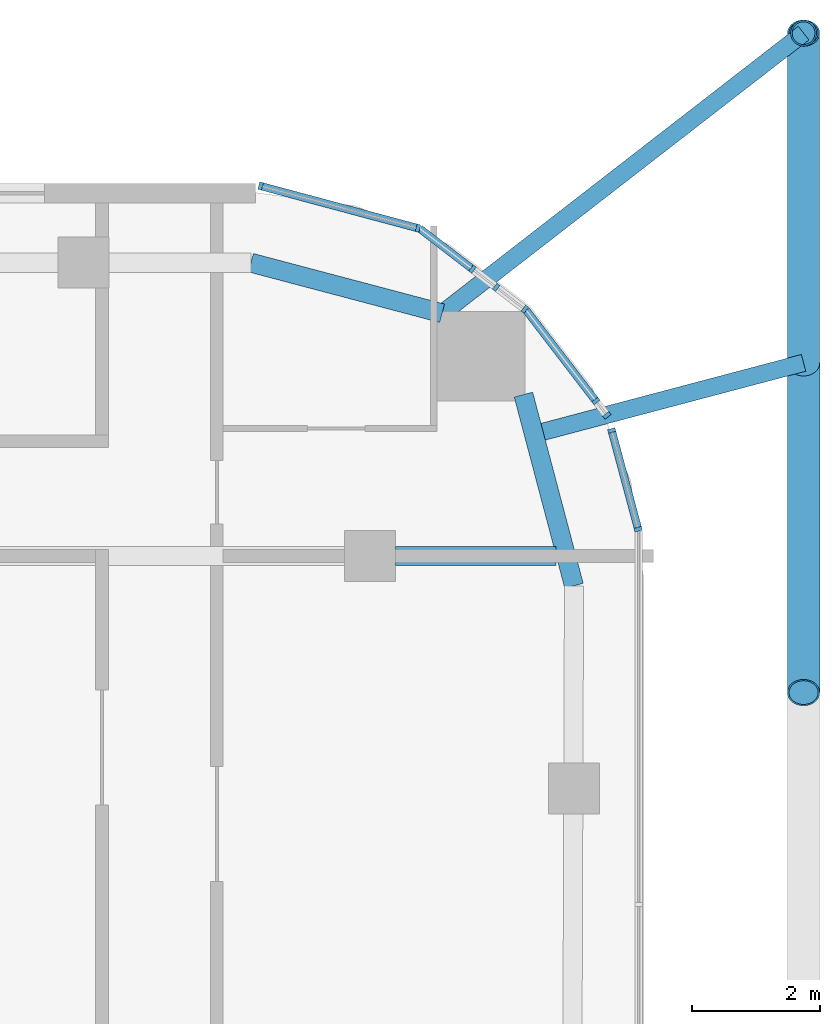
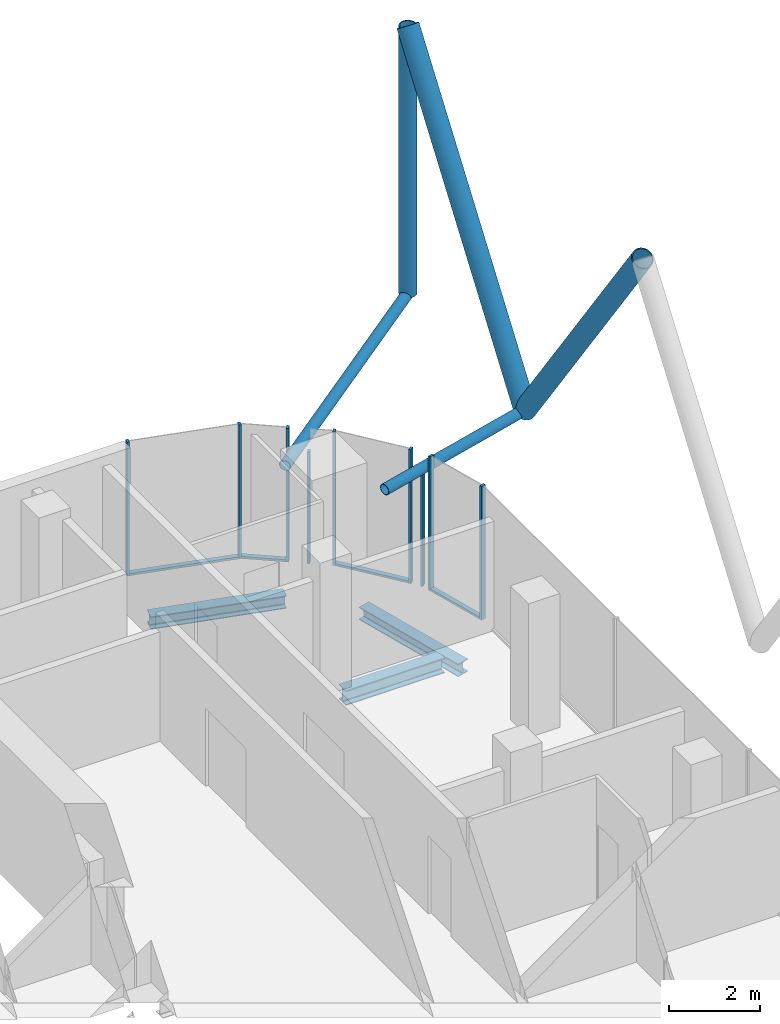
# One storey, part 11 of 31: 18 members, 3 beams, 7 elements without a shape of their own.
"""IFC4 building model written with IfcOpenShell, lengths in metres."""

from ifc_helpers import new_model, si_unit, direction, frame, origin, origin_2d, place, context, subcontext, project, spatial, rectangle, hollow_circle, i_section, extrude, material, layer, layer_set, material_profile, profile_set, type_object, element, aggregate, save


model = new_model("IFC4")

# Units and contexts
model_context = context("Model", 3, precision=1e-05, world=origin(), true_north=direction((0.0, 1.0)))
body_context = subcontext(model_context, "Body", "Model", "MODEL_VIEW")
ifc_project = project(units=[si_unit("LENGTHUNIT", "METRE"), si_unit("AREAUNIT", "SQUARE_METRE"), si_unit("VOLUMEUNIT", "CUBIC_METRE"), si_unit("PLANEANGLEUNIT", "RADIAN"), si_unit("MASSUNIT", "GRAM", prefix="KILO")], contexts=[model_context])

# Site, building, storey
site_placement = place(None, origin())
site = spatial("IfcSite", under=ifc_project, at=site_placement, CompositionType="ELEMENT")
building_placement = place(site_placement, origin())
building = spatial("IfcBuilding", under=site, at=building_placement, Name="Marenta Gate Hotel Tower", CompositionType="ELEMENT")
storey_placement = place(building_placement, frame((0.0, 0.0, 191.300048828125)))
storey = spatial("IfcBuildingStorey", under=building, at=storey_placement, Name="L43", CompositionType="ELEMENT", Elevation=191.300048828125)

# Members
ifc_material_1 = material(Name="Steel S355J2W", Category="steel")
ifc_material_profile_1 = material_profile(ifc_material_1, hollow_circle(Radius=0.203125, WallThickness=0.02490234375, at=origin_2d()), Name="CHS 406.4x25")
ifc_profile_set_1 = profile_set([ifc_material_profile_1], Name="Steel S355J2W")
member_type_1 = type_object("IfcMemberType", Name="Diagrid corner post Z3 CHS 406.4x25", PredefinedType="POST", material=ifc_profile_set_1)
member_1_placement = place(storey_placement, frame((27.800048828125, 25.0, 3.139892578125), z_axis=(0.0, 0.0, 1.0), x_axis=(1.0, 0.0, 0.0)))
element("IfcMember", 1, at=member_1_placement, inside=storey, type_object=member_type_1, Name="L43-DR-1", PredefinedType="POST", context=body_context, shape_type="SweptSolid", body=[
    extrude(hollow_circle(Radius=0.203125, WallThickness=0.02490234375, at=origin_2d()), origin(), (0.0, 0.0, 1.0), 7.199951171875),
])
ifc_material_2 = material(Name="Steel S355J2W", Category="steel")
ifc_material_profile_2 = material_profile(ifc_material_2, hollow_circle(Radius=0.25390625, WallThickness=0.02490234375, at=origin_2d()), Name="CHS 508x25")
ifc_profile_set_2 = profile_set([ifc_material_profile_2], Name="Steel S355J2W")
member_type_2 = type_object("IfcMemberType", Name="Diagrid diagonal Z3 CHS 508x25", PredefinedType="BRACE", material=ifc_profile_set_2)
member_2_placement = place(storey_placement, frame((27.800048828125, 19.830078125, 3.139892578125), z_axis=(0.0, 0.583260841117, 0.812284919975), x_axis=(-1.0, 0.0, 0.0)))
element("IfcMember", 2, at=member_2_placement, inside=storey, type_object=member_type_2, Name="L43-DG-1", PredefinedType="BRACE", context=body_context, shape_type="SweptSolid", body=[
    extrude(hollow_circle(Radius=0.25390625, WallThickness=0.02490234375, at=origin_2d()), origin(), (0.0, 0.0, 1.0), 8.86376953125),
])
member_3_placement = place(storey_placement, frame((27.800048828125, 19.830078125, 3.139892578125), z_axis=(0.0, -0.583279014058, 0.812271870595), x_axis=(1.0, 0.0, 0.0)))
element("IfcMember", 3, at=member_3_placement, inside=storey, type_object=member_type_2, Name="L43-DG-2", PredefinedType="BRACE", context=body_context, shape_type="SweptSolid", body=[
    extrude(hollow_circle(Radius=0.25390625, WallThickness=0.02490234375, at=origin_2d()), origin(), (0.0, 0.0, 1.0), 8.864013671875),
])

# Beams
ifc_material_3 = material(Name="Steel S355", Category="steel")
ifc_material_profile_3 = material_profile(ifc_material_3, i_section(OverallWidth=0.300048828125, OverallDepth=0.340087890625, WebThickness=0.011962890625, FlangeThickness=0.021484375, FilletRadius=0.027099609375, at=origin_2d()), Name="HEB 340")
ifc_profile_set_3 = profile_set([ifc_material_profile_3], Name="Steel S355")
beam_type_1 = type_object("IfcBeamType", Name="Edge beam HEB 340", PredefinedType="SPANDREL", material=ifc_profile_set_3)
beam_1_placement = place(storey_placement, frame((19.134521484375, 21.39990234375, -0.429931640625), z_axis=(0.9667647815, -0.25566747398, 0.0), x_axis=(0.25566747398, 0.9667647815, 0.0)))
element("IfcBeam", 4, at=beam_1_placement, inside=storey, type_object=beam_type_1, Name="L43-EB-20", PredefinedType="SPANDREL", context=body_context, shape_type="SweptSolid", body=[
    extrude(i_section(OverallWidth=0.300048828125, OverallDepth=0.340087890625, WebThickness=0.011962890625, FlangeThickness=0.021484375, FilletRadius=0.027099609375, at=origin_2d()), origin(), (0.0, 0.0, 1.0), 3.1005859375),
])
beam_2_placement = place(storey_placement, frame((23.4072265625, 19.332275390625, -0.429931640625), z_axis=(0.255648013319, -0.966769927794, 0.0), x_axis=(0.966769927794, 0.255648013319, 0.0)))
element("IfcBeam", 5, at=beam_2_placement, inside=storey, type_object=beam_type_1, Name="L43-EB-21", PredefinedType="SPANDREL", context=body_context, shape_type="SweptSolid", body=[
    extrude(i_section(OverallWidth=0.300048828125, OverallDepth=0.340087890625, WebThickness=0.011962890625, FlangeThickness=0.021484375, FilletRadius=0.027099609375, at=origin_2d()), origin(), (0.0, 0.0, 1.0), 3.100830078125),
])

# Members
ifc_material_4 = material(Name="Steel S355J2W", Category="steel")
ifc_material_profile_4 = material_profile(ifc_material_4, hollow_circle(Radius=0.136474609375, WallThickness=0.012451171875, at=origin_2d()), Name="CHS 273x12.5")
ifc_profile_set_4 = profile_set([ifc_material_profile_4], Name="Steel S355J2W")
member_type_3 = type_object("IfcMemberType", Name="Floor tie CHS 273x12.5", PredefinedType="STRUT", material=ifc_profile_set_4)
member_4_placement = place(storey_placement, frame((27.800048828125, 25.0, 3.139892578125), z_axis=(-0.790398962363, -0.61259242592, 0.0), x_axis=(0.61259242592, -0.790398962363, 0.0)))
element("IfcMember", 6, at=member_4_placement, inside=storey, type_object=member_type_3, Name="L43-DR-7", PredefinedType="STRUT", context=body_context, shape_type="SweptSolid", body=[
    extrude(hollow_circle(Radius=0.136474609375, WallThickness=0.012451171875, at=origin_2d()), origin(), (0.0, 0.0, 1.0), 7.163330078125),
])
member_5_placement = place(storey_placement, frame((27.800048828125, 19.830078125, 3.139892578125), z_axis=(-0.966769042409, -0.255651361506, 0.0), x_axis=(0.255651361506, -0.966769042409, 0.0)))
element("IfcMember", 7, at=member_5_placement, inside=storey, type_object=member_type_3, Name="L43-DR-8", PredefinedType="STRUT", context=body_context, shape_type="SweptSolid", body=[
    extrude(hollow_circle(Radius=0.136474609375, WallThickness=0.012451171875, at=origin_2d()), origin(), (0.0, 0.0, 1.0), 4.3681640625),
])

# Beam
ifc_material_5 = material(Name="Steel S355", Category="steel")
ifc_material_profile_5 = material_profile(ifc_material_5, i_section(OverallWidth=0.300048828125, OverallDepth=0.39990234375, WebThickness=0.013427734375, FlangeThickness=0.02392578125, FilletRadius=0.027099609375, at=origin_2d()), Name="HEB 400")
ifc_profile_set_5 = profile_set([ifc_material_profile_5], Name="Steel S355")
beam_type_2 = type_object("IfcBeamType", Name="Girder HEB 400", PredefinedType="BEAM", material=ifc_profile_set_5)
beam_3_placement = place(storey_placement, frame((21.39990234375, 16.800048828125, -0.4599609375), z_axis=(1.0, 0.0, 0.0), x_axis=(0.0, 1.0, 0.0)))
element("IfcBeam", 8, at=beam_3_placement, inside=storey, type_object=beam_type_2, Name="L43-GD-33", PredefinedType="BEAM", context=body_context, shape_type="SweptSolid", body=[
    extrude(i_section(OverallWidth=0.300048828125, OverallDepth=0.39990234375, WebThickness=0.013427734375, FlangeThickness=0.02392578125, FilletRadius=0.027099609375, at=origin_2d()), origin(), (0.0, 0.0, 1.0), 2.521728515625),
])

# Curtain wall, members
ifc_material_6 = material(Name="Tinted insulated glass in bronze anodised frame", Category="glass")
ifc_layer = layer(ifc_material_6, 0.1201171875)
ifc_layer_set = layer_set([ifc_layer], Name="Tinted insulated glass in bronze anodised frame")
curtain_wall_type = type_object("IfcCurtainWallType", Name="Tower unitised curtain wall CW1", PredefinedType="NOTDEFINED", material=ifc_layer_set)
curtain_wall_1_placement = place(storey_placement, origin())
curtain_wall_1 = element("IfcCurtainWall", 9, at=curtain_wall_1_placement, inside=storey, type_object=curtain_wall_type, Name="CW1 run G35", PredefinedType="NOTDEFINED")
ifc_material_7 = material(Name="Bronze anodised aluminium", Category="aluminium")
ifc_material_profile_6 = material_profile(ifc_material_7, rectangle(XDim=0.1201171875, YDim=0.06005859375, at=origin_2d()), Name="Mullion CW1 60x120 bronze anodised aluminium")
ifc_profile_set_6 = profile_set([ifc_material_profile_6], Name="Bronze anodised aluminium")
member_type_4 = type_object("IfcMemberType", Name="Mullion CW1 60x120 bronze anodised aluminium", PredefinedType="MULLION", material=ifc_profile_set_6)
member_6_placement = place(storey_placement, frame((25.206298828125, 17.220947265625, 0.0), z_axis=(0.0, 0.0, 1.0), x_axis=(-0.965922818295, -0.25883027083, 0.0)))
member_6 = element("IfcMember", 10, at=member_6_placement, type_object=member_type_4, Name="CW1 mullion 1", PredefinedType="MULLION", context=body_context, shape_type="SweptSolid", body=[
    extrude(rectangle(XDim=0.1201171875, YDim=0.06005859375, at=origin_2d()), origin(), (0.0, 0.0, 1.0), 3.599853515625),
])
member_7_placement = place(storey_placement, frame((24.791259765625, 18.76904296875, 0.0), z_axis=(0.0, 0.0, 1.0), x_axis=(-0.965922818295, -0.25883027083, 0.0)))
member_7 = element("IfcMember", 11, at=member_7_placement, type_object=member_type_4, Name="CW1 mullion 2", PredefinedType="MULLION", context=body_context, shape_type="SweptSolid", body=[
    extrude(rectangle(XDim=0.1201171875, YDim=0.06005859375, at=origin_2d()), origin(), (0.0, 0.0, 1.0), 3.599853515625),
])

# Curtain wall, member
curtain_wall_2_placement = place(storey_placement, origin())
curtain_wall_2 = element("IfcCurtainWall", 12, at=curtain_wall_2_placement, inside=storey, type_object=curtain_wall_type, Name="CW1 run G36", PredefinedType="NOTDEFINED")
member_8_placement = place(storey_placement, frame((24.7158203125, 19.00634765625, 0.0), z_axis=(0.0, 0.0, 1.0), x_axis=(-0.793317236047, -0.608808478087, 0.0)))
member_8 = element("IfcMember", 13, at=member_8_placement, type_object=member_type_4, Name="CW1 mullion 1", PredefinedType="MULLION", context=body_context, shape_type="SweptSolid", body=[
    extrude(rectangle(XDim=0.1201171875, YDim=0.06005859375, at=origin_2d()), origin(), (0.0, 0.0, 1.0), 3.00048828125),
])
aggregate(curtain_wall_2, [member_8])

curtain_wall_3_placement = place(storey_placement, origin())
curtain_wall_3 = element("IfcCurtainWall", 14, at=curtain_wall_3_placement, inside=storey, type_object=curtain_wall_type, Name="CW1 run G37", PredefinedType="NOTDEFINED")
member_9_placement = place(storey_placement, frame((24.54296875, 19.231689453125, 0.0), z_axis=(0.0, 0.0, 1.0), x_axis=(-0.79333584573, -0.608784227687, 0.0)))
member_9 = element("IfcMember", 15, at=member_9_placement, type_object=member_type_4, Name="CW1 mullion 1", PredefinedType="MULLION", context=body_context, shape_type="SweptSolid", body=[
    extrude(rectangle(XDim=0.1201171875, YDim=0.06005859375, at=origin_2d()), origin(), (0.0, 0.0, 1.0), 3.599853515625),
])

curtain_wall_4_placement = place(storey_placement, origin())
curtain_wall_4 = element("IfcCurtainWall", 16, at=curtain_wall_4_placement, inside=storey, type_object=curtain_wall_type, Name="CW1 run G38", PredefinedType="NOTDEFINED")
member_10_placement = place(storey_placement, frame((23.4287109375, 20.6708984375, 0.0), z_axis=(0.0, 0.0, 1.0), x_axis=(-0.608769572677, -0.793347091368, 0.0)))
member_10 = element("IfcMember", 17, at=member_10_placement, type_object=member_type_4, Name="CW1 mullion 1", PredefinedType="MULLION", context=body_context, shape_type="SweptSolid", body=[
    extrude(rectangle(XDim=0.1201171875, YDim=0.06005859375, at=origin_2d()), origin(), (0.0, 0.0, 1.0), 3.599853515625),
])
aggregate(curtain_wall_4, [member_10])

curtain_wall_5_placement = place(storey_placement, origin())
curtain_wall_5 = element("IfcCurtainWall", 18, at=curtain_wall_5_placement, inside=storey, type_object=curtain_wall_type, Name="CW1 run G39", PredefinedType="NOTDEFINED")
member_11_placement = place(storey_placement, frame((22.98046875, 21.014892578125, 0.0), z_axis=(0.0, 0.0, 1.0), x_axis=(-0.608843780404, -0.793290143052, 0.0)))
member_11 = element("IfcMember", 19, at=member_11_placement, type_object=member_type_4, Name="CW1 mullion 1", PredefinedType="MULLION", context=body_context, shape_type="SweptSolid", body=[
    extrude(rectangle(XDim=0.1201171875, YDim=0.06005859375, at=origin_2d()), origin(), (0.0, 0.0, 1.0), 3.00048828125),
])
aggregate(curtain_wall_5, [member_11])

curtain_wall_6_placement = place(storey_placement, origin())
curtain_wall_6 = element("IfcCurtainWall", 20, at=curtain_wall_6_placement, inside=storey, type_object=curtain_wall_type, Name="CW1 run G40", PredefinedType="NOTDEFINED")
member_12_placement = place(storey_placement, frame((22.60888671875, 21.300048828125, 0.0), z_axis=(0.0, 0.0, 1.0), x_axis=(-0.60877235005, -0.793344960162, 0.0)))
member_12 = element("IfcMember", 21, at=member_12_placement, type_object=member_type_4, Name="CW1 mullion 1", PredefinedType="MULLION", context=body_context, shape_type="SweptSolid", body=[
    extrude(rectangle(XDim=0.1201171875, YDim=0.06005859375, at=origin_2d()), origin(), (0.0, 0.0, 1.0), 3.599853515625),
])

# Curtain wall, members
curtain_wall_7_placement = place(storey_placement, origin())
curtain_wall_7 = element("IfcCurtainWall", 22, at=curtain_wall_7_placement, inside=storey, type_object=curtain_wall_type, Name="CW1 run G41", PredefinedType="NOTDEFINED")
member_13_placement = place(storey_placement, frame((21.75341796875, 21.94189453125, 0.0), z_axis=(0.0, 0.0, 1.0), x_axis=(-0.258804895175, -0.96592961764, 0.0)))
member_13 = element("IfcMember", 23, at=member_13_placement, type_object=member_type_4, Name="CW1 mullion 1", PredefinedType="MULLION", context=body_context, shape_type="SweptSolid", body=[
    extrude(rectangle(XDim=0.1201171875, YDim=0.06005859375, at=origin_2d()), origin(), (0.0, 0.0, 1.0), 3.599853515625),
])
member_14_placement = place(storey_placement, frame((19.285400390625, 22.603271484375, 0.0), z_axis=(0.0, 0.0, 1.0), x_axis=(-0.258804895175, -0.96592961764, 0.0)))
member_14 = element("IfcMember", 24, at=member_14_placement, type_object=member_type_4, Name="CW1 mullion 2", PredefinedType="MULLION", context=body_context, shape_type="SweptSolid", body=[
    extrude(rectangle(XDim=0.1201171875, YDim=0.06005859375, at=origin_2d()), origin(), (0.0, 0.0, 1.0), 3.599853515625),
])

# Member
ifc_material_8 = material(Name="Bronze anodised aluminium", Category="aluminium")
ifc_material_profile_7 = material_profile(ifc_material_8, rectangle(XDim=0.1201171875, YDim=0.06005859375, at=origin_2d()), Name="Transom CW1 60x120 bronze anodised aluminium")
ifc_profile_set_7 = profile_set([ifc_material_profile_7], Name="Bronze anodised aluminium")
member_type_5 = type_object("IfcMemberType", Name="Transom CW1 60x120 bronze anodised aluminium", PredefinedType="USERDEFINED", material=ifc_profile_set_7)
member_15_placement = place(storey_placement, frame((25.198486328125, 17.249755859375, 0.030029296875), z_axis=(-0.258844166869, 0.965919094582, 0.0), x_axis=(-0.965919094582, -0.258844166869, 0.0)))
member_15 = element("IfcMember", 25, at=member_15_placement, type_object=member_type_5, Name="CW1 transom 1.1", ObjectType="TRANSOM", PredefinedType="USERDEFINED", context=body_context, shape_type="SweptSolid", body=[
    extrude(rectangle(XDim=0.1201171875, YDim=0.06005859375, at=origin_2d()), origin(), (0.0, 0.0, 1.0), 1.54296875),
])

aggregate(curtain_wall_1, [member_6, member_7, member_15])

member_16_placement = place(storey_placement, frame((24.524658203125, 19.25537109375, 0.030029296875), z_axis=(-0.608725448508, 0.793380947804, 0.0), x_axis=(-0.793380947804, -0.608725448508, 0.0)))
member_16 = element("IfcMember", 26, at=member_16_placement, type_object=member_type_5, Name="CW1 transom 1.1", ObjectType="TRANSOM", PredefinedType="USERDEFINED", context=body_context, shape_type="SweptSolid", body=[
    extrude(rectangle(XDim=0.1201171875, YDim=0.06005859375, at=origin_2d()), origin(), (0.0, 0.0, 1.0), 1.760986328125),
])

aggregate(curtain_wall_3, [member_9, member_16])

member_17_placement = place(storey_placement, frame((22.585205078125, 21.318359375, 0.030029296875), z_axis=(-0.793466512091, 0.608613912255, 0.0), x_axis=(-0.608613912255, -0.793466512091, 0.0)))
member_17 = element("IfcMember", 27, at=member_17_placement, type_object=member_type_5, Name="CW1 transom 1.1", ObjectType="TRANSOM", PredefinedType="USERDEFINED", context=body_context, shape_type="SweptSolid", body=[
    extrude(rectangle(XDim=0.1201171875, YDim=0.06005859375, at=origin_2d()), origin(), (0.0, 0.0, 1.0), 1.01171875),
])

aggregate(curtain_wall_6, [member_12, member_17])

member_18_placement = place(storey_placement, frame((21.724609375, 21.94970703125, 0.030029296875), z_axis=(-0.965930582093, 0.258801295547, 0.0), x_axis=(-0.258801295547, -0.965930582093, 0.0)))
member_18 = element("IfcMember", 28, at=member_18_placement, type_object=member_type_5, Name="CW1 transom 1.1", ObjectType="TRANSOM", PredefinedType="USERDEFINED", context=body_context, shape_type="SweptSolid", body=[
    extrude(rectangle(XDim=0.1201171875, YDim=0.06005859375, at=origin_2d()), origin(), (0.0, 0.0, 1.0), 2.4951171875),
])

aggregate(curtain_wall_7, [member_13, member_14, member_18])

save(model, "model.ifc")
